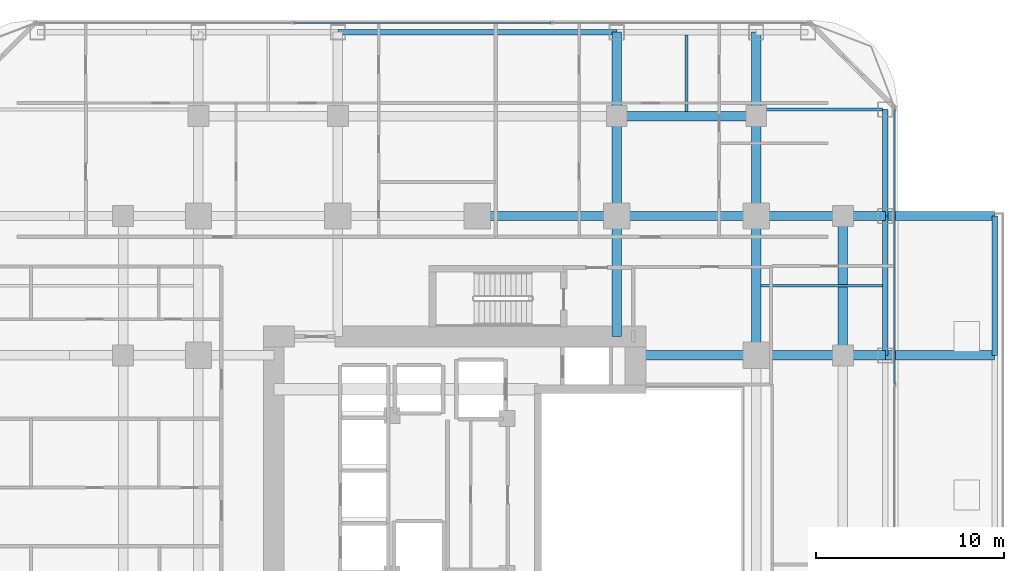
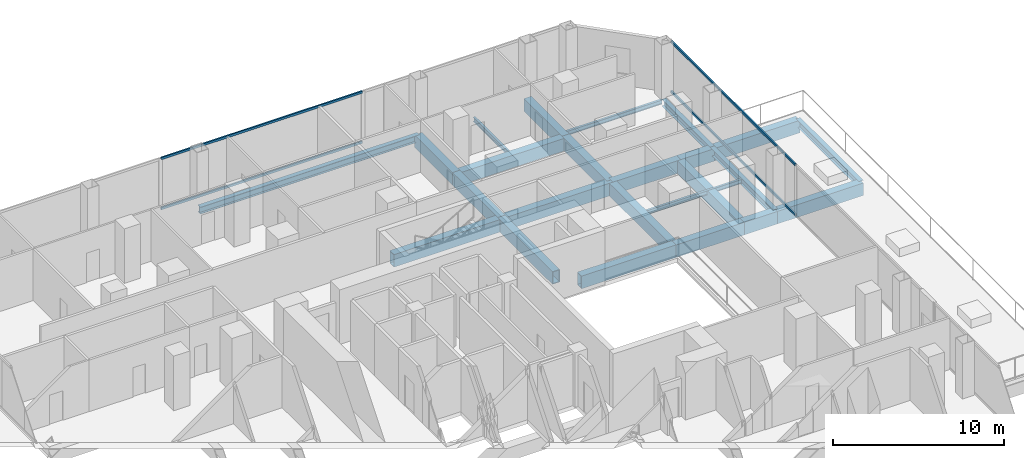
# One storey, part 16 of 29: 24 beams, 4 members, 2 elements without a shape of their own.
"""IFC4 building model written with IfcOpenShell, lengths in metres."""

from ifc_helpers import new_model, si_unit, direction, frame, origin, origin_2d, place, context, subcontext, project, spatial, hollow_rectangle, i_section, extrude, material, layer, layer_set, material_profile, profile_set, type_object, element, aggregate, save


model = new_model("IFC4")

# Units and contexts
model_context = context("Model", 3, precision=1e-05, world=origin(), true_north=direction((0.0, 1.0)))
body_context = subcontext(model_context, "Body", "Model", "MODEL_VIEW")
ifc_project = project(units=[si_unit("LENGTHUNIT", "METRE"), si_unit("AREAUNIT", "SQUARE_METRE"), si_unit("VOLUMEUNIT", "CUBIC_METRE"), si_unit("PLANEANGLEUNIT", "RADIAN"), si_unit("MASSUNIT", "GRAM", prefix="KILO")], contexts=[model_context])

# Site, building, storey
site_placement = place(None, origin())
site = spatial("IfcSite", under=ifc_project, at=site_placement, CompositionType="ELEMENT")
building_placement = place(site_placement, origin())
building = spatial("IfcBuilding", under=site, at=building_placement, Name="Khorvyn Point Tower", CompositionType="ELEMENT")
storey_placement = place(building_placement, frame((0.0, 0.0, 54.0)))
storey = spatial("IfcBuildingStorey", under=building, at=storey_placement, Name="L14", CompositionType="ELEMENT", Elevation=54.0)

# Curtain wall, members
ifc_material_1 = material(Name="Anodised aluminium 6063-T6 and laminated Low-E glass", Category="aluminium")
ifc_layer = layer(ifc_material_1, 0.18994140625)
ifc_layer_set = layer_set([ifc_layer], Name="Stick-Built Finned Residential Curtain Wall CW-SYS-02")
curtain_wall_type = type_object("IfcCurtainWallType", Name="Stick-Built Finned Residential Curtain Wall CW-SYS-02", PredefinedType="NOTDEFINED", material=ifc_layer_set)
curtain_wall_1_placement = place(storey_placement, origin())
curtain_wall_1 = element("IfcCurtainWall", 1, at=curtain_wall_1_placement, inside=storey, type_object=curtain_wall_type, Name="Curtain Wall", PredefinedType="NOTDEFINED")
ifc_material_2 = material(Name="Anodised aluminium 6063-T6", Category="aluminium")
ifc_material_profile_1 = material_profile(ifc_material_2, hollow_rectangle(XDim=0.10009765625, YDim=0.159912109375, WallThickness=0.00439453125, at=origin_2d()))
ifc_profile_set_1 = profile_set([ifc_material_profile_1], Name="Anodised aluminium 6063-T6 ALU-TRN-100x160")
member_type = type_object("IfcMemberType", Name="Anodised Aluminium 6063-T6 Transom ALU-TRN-100x160", PredefinedType="USERDEFINED", material=ifc_profile_set_1)
member_1_placement = place(storey_placement, frame((-9.699951171875, 25.050048828125, 0.050048828125), z_axis=(1.0, 0.0, 0.0), x_axis=(0.0, 1.0, 0.0)))
member_1 = element("IfcMember", 2, at=member_1_placement, type_object=member_type, Name="Transom", ObjectType="TRANSOM", PredefinedType="USERDEFINED", context=body_context, shape_type="SweptSolid", body=[
    extrude(hollow_rectangle(XDim=0.10009765625, YDim=0.159912109375, WallThickness=0.00439453125, at=origin_2d()), origin(), (0.0, 0.0, 1.0), 13.599853515625),
])
member_2_placement = place(storey_placement, frame((-9.699951171875, 25.050048828125, 3.6298828125), z_axis=(1.0, 0.0, 0.0), x_axis=(0.0, 1.0, 0.0)))
member_2 = element("IfcMember", 3, at=member_2_placement, type_object=member_type, Name="Transom", ObjectType="TRANSOM", PredefinedType="USERDEFINED", context=body_context, shape_type="SweptSolid", body=[
    extrude(hollow_rectangle(XDim=0.10009765625, YDim=0.159912109375, WallThickness=0.00439453125, at=origin_2d()), origin(), (0.0, 0.0, 1.0), 13.599853515625),
])
aggregate(curtain_wall_1, [member_1, member_2])

curtain_wall_2_placement = place(storey_placement, origin())
curtain_wall_2 = element("IfcCurtainWall", 4, at=curtain_wall_2_placement, inside=storey, type_object=curtain_wall_type, Name="Curtain Wall", PredefinedType="NOTDEFINED")
member_3_placement = place(storey_placement, frame((22.14990234375, 20.449951171875, 0.050048828125), z_axis=(0.0, -1.0, 0.0), x_axis=(1.0, 0.0, 0.0)))
member_3 = element("IfcMember", 5, at=member_3_placement, type_object=member_type, Name="Transom", ObjectType="TRANSOM", PredefinedType="USERDEFINED", context=body_context, shape_type="SweptSolid", body=[
    extrude(hollow_rectangle(XDim=0.10009765625, YDim=0.159912109375, WallThickness=0.00439453125, at=origin_2d()), origin(), (0.0, 0.0, 1.0), 14.5673828125),
])
member_4_placement = place(storey_placement, frame((22.14990234375, 20.449951171875, 3.6298828125), z_axis=(0.0, -1.0, 0.0), x_axis=(1.0, 0.0, 0.0)))
member_4 = element("IfcMember", 6, at=member_4_placement, type_object=member_type, Name="Transom", ObjectType="TRANSOM", PredefinedType="USERDEFINED", context=body_context, shape_type="SweptSolid", body=[
    extrude(hollow_rectangle(XDim=0.10009765625, YDim=0.159912109375, WallThickness=0.00439453125, at=origin_2d()), origin(), (0.0, 0.0, 1.0), 14.5673828125),
])
aggregate(curtain_wall_2, [member_3, member_4])

# Beams
ifc_material_3 = material(Name="Steel S355", Category="steel")
ifc_material_profile_2 = material_profile(ifc_material_3, i_section(OverallWidth=0.14990234375, OverallDepth=0.300048828125, WebThickness=0.006591796875, FlangeThickness=0.009033203125, at=origin_2d()))
ifc_profile_set_2 = profile_set([ifc_material_profile_2], Name="Steel S355 H300x150x6.5x9")
beam_type_1 = type_object("IfcBeamType", Name="Steel S355 Joist H300x150x6.5x9", PredefinedType="JOIST", material=ifc_profile_set_2)
beam_1_placement = place(storey_placement, frame((15.050048828125, 11.10009765625, -0.429931640625), z_axis=(1.0, 0.0, 0.0), x_axis=(0.0, 1.0, 0.0)))
element("IfcBeam", 7, at=beam_1_placement, inside=storey, type_object=beam_type_1, Name="Beam", PredefinedType="JOIST", context=body_context, shape_type="SweptSolid", body=[
    extrude(i_section(OverallWidth=0.14990234375, OverallDepth=0.300048828125, WebThickness=0.006591796875, FlangeThickness=0.009033203125, at=origin_2d()), origin(), (0.0, 0.0, 1.0), 6.449951171875),
])
beam_2_placement = place(storey_placement, frame((11.10009765625, 20.35009765625, -0.429931640625), z_axis=(0.0, 1.0, 0.0), x_axis=(-1.0, 0.0, 0.0)))
element("IfcBeam", 8, at=beam_2_placement, inside=storey, type_object=beam_type_1, Name="Beam", PredefinedType="JOIST", context=body_context, shape_type="SweptSolid", body=[
    extrude(i_section(OverallWidth=0.14990234375, OverallDepth=0.300048828125, WebThickness=0.006591796875, FlangeThickness=0.009033203125, at=origin_2d()), origin(), (0.0, 0.0, 1.0), 4.0498046875),
])
beam_3_placement = place(storey_placement, frame((15.050048828125, 20.449951171875, -0.429931640625), z_axis=(1.0, 0.0, 0.0), x_axis=(0.0, 1.0, 0.0)))
element("IfcBeam", 9, at=beam_3_placement, inside=storey, type_object=beam_type_1, Name="Beam", PredefinedType="JOIST", context=body_context, shape_type="SweptSolid", body=[
    extrude(i_section(OverallWidth=0.14990234375, OverallDepth=0.300048828125, WebThickness=0.006591796875, FlangeThickness=0.009033203125, at=origin_2d()), origin(), (0.0, 0.0, 1.0), 6.449951171875),
])
ifc_material_profile_3 = material_profile(ifc_material_3, i_section(OverallWidth=0.300048828125, OverallDepth=0.488037109375, WebThickness=0.010986328125, FlangeThickness=0.01806640625, at=origin_2d()))
ifc_profile_set_3 = profile_set([ifc_material_profile_3], Name="Steel S355 H488x300x11x18")
beam_type_2 = type_object("IfcBeamType", Name="Steel S355 Spandrel H488x300x11x18", PredefinedType="SPANDREL", material=ifc_profile_set_3)
beam_4_placement = place(storey_placement, frame((-7.39990234375, 24.550048828125, -0.52392578125), z_axis=(1.0, 0.0, 0.0), x_axis=(0.0, 1.0, 0.0)))
element("IfcBeam", 10, at=beam_4_placement, inside=storey, type_object=beam_type_2, Name="Beam", PredefinedType="SPANDREL", context=body_context, shape_type="SweptSolid", body=[
    extrude(i_section(OverallWidth=0.300048828125, OverallDepth=0.488037109375, WebThickness=0.010986328125, FlangeThickness=0.01806640625, at=origin_2d()), origin(), (0.0, 0.0, 1.0), 14.7998046875),
])
beam_5_placement = place(storey_placement, frame((21.64990234375, 7.39990234375, -0.52392578125), z_axis=(0.0, 1.0, 0.0), x_axis=(-1.0, 0.0, 0.0)))
element("IfcBeam", 11, at=beam_5_placement, inside=storey, type_object=beam_type_2, Name="Beam", PredefinedType="SPANDREL", context=body_context, shape_type="SweptSolid", body=[
    extrude(i_section(OverallWidth=0.300048828125, OverallDepth=0.488037109375, WebThickness=0.010986328125, FlangeThickness=0.01806640625, at=origin_2d()), origin(), (0.0, 0.0, 1.0), 7.400146484375),
])
beam_6_placement = place(storey_placement, frame((21.64990234375, 14.800048828125, -0.52392578125), z_axis=(0.0, 1.0, 0.0), x_axis=(-1.0, 0.0, 0.0)))
element("IfcBeam", 12, at=beam_6_placement, inside=storey, type_object=beam_type_2, Name="Beam", PredefinedType="SPANDREL", context=body_context, shape_type="SweptSolid", body=[
    extrude(i_section(OverallWidth=0.300048828125, OverallDepth=0.488037109375, WebThickness=0.010986328125, FlangeThickness=0.01806640625, at=origin_2d()), origin(), (0.0, 0.0, 1.0), 5.64990234375),
])
beam_7_placement = place(storey_placement, frame((27.449951171875, 7.39990234375, -0.52392578125), z_axis=(0.0, 1.0, 0.0), x_axis=(-1.0, 0.0, 0.0)))
element("IfcBeam", 13, at=beam_7_placement, inside=storey, type_object=beam_type_2, Name="Beam", PredefinedType="SPANDREL", context=body_context, shape_type="SweptSolid", body=[
    extrude(i_section(OverallWidth=0.300048828125, OverallDepth=0.488037109375, WebThickness=0.010986328125, FlangeThickness=0.01806640625, at=origin_2d()), origin(), (0.0, 0.0, 1.0), 7.400146484375),
])
ifc_material_4 = material(Name="Steel S450", Category="steel")
ifc_material_profile_4 = material_profile(ifc_material_4, hollow_rectangle(XDim=0.5, YDim=0.89990234375, WallThickness=0.0400390625, at=origin_2d()))
ifc_profile_set_4 = profile_set([ifc_material_profile_4], Name="Steel S450 BOX900x500x40")
beam_type_3 = type_object("IfcBeamType", Name="Steel S450 Beam BOX900x500x40", PredefinedType="BEAM", material=ifc_profile_set_4)
beam_8_placement = place(storey_placement, frame((0.0, 14.800048828125, -0.72998046875), z_axis=(1.0, 0.0, 0.0), x_axis=(0.0, 1.0, 0.0)))
element("IfcBeam", 14, at=beam_8_placement, inside=storey, type_object=beam_type_3, Name="L14 Radial Transfer Girder", PredefinedType="BEAM", context=body_context, shape_type="SweptSolid", body=[
    extrude(hollow_rectangle(XDim=0.5, YDim=0.89990234375, WallThickness=0.0400390625, at=origin_2d()), origin(), (0.0, 0.0, 1.0), 7.39990234375),
])
beam_9_placement = place(storey_placement, frame((7.39990234375, 14.800048828125, -0.72998046875), z_axis=(1.0, 0.0, 0.0), x_axis=(0.0, 1.0, 0.0)))
element("IfcBeam", 15, at=beam_9_placement, inside=storey, type_object=beam_type_3, Name="L14 Radial Transfer Girder", PredefinedType="BEAM", context=body_context, shape_type="SweptSolid", body=[
    extrude(hollow_rectangle(XDim=0.5, YDim=0.89990234375, WallThickness=0.0400390625, at=origin_2d()), origin(), (0.0, 0.0, 1.0), 7.400146484375),
])
beam_10_placement = place(storey_placement, frame((14.800048828125, 14.800048828125, -0.72998046875), z_axis=(1.0, 0.0, 0.0), x_axis=(0.0, 1.0, 0.0)))
element("IfcBeam", 16, at=beam_10_placement, inside=storey, type_object=beam_type_3, Name="L14 Radial Transfer Girder", PredefinedType="BEAM", context=body_context, shape_type="SweptSolid", body=[
    extrude(hollow_rectangle(XDim=0.5, YDim=0.89990234375, WallThickness=0.0400390625, at=origin_2d()), origin(), (0.0, 0.0, 1.0), 4.599853515625),
])
beam_11_placement = place(storey_placement, frame((19.39990234375, 14.800048828125, -0.72998046875), z_axis=(1.0, 0.0, 0.0), x_axis=(0.0, 1.0, 0.0)))
element("IfcBeam", 17, at=beam_11_placement, inside=storey, type_object=beam_type_3, Name="L14 Radial Transfer Girder", PredefinedType="BEAM", context=body_context, shape_type="SweptSolid", body=[
    extrude(hollow_rectangle(XDim=0.5, YDim=0.89990234375, WallThickness=0.0400390625, at=origin_2d()), origin(), (0.0, 0.0, 1.0), 2.25),
])
beam_12_placement = place(storey_placement, frame((21.64990234375, 14.800048828125, -0.72998046875), z_axis=(1.0, 0.0, 0.0), x_axis=(0.0, 1.0, 0.0)))
element("IfcBeam", 18, at=beam_12_placement, inside=storey, type_object=beam_type_3, Name="L14 Radial Transfer Girder", PredefinedType="BEAM", context=body_context, shape_type="SweptSolid", body=[
    extrude(hollow_rectangle(XDim=0.5, YDim=0.89990234375, WallThickness=0.0400390625, at=origin_2d()), origin(), (0.0, 0.0, 1.0), 5.800048828125),
])
beam_13_placement = place(storey_placement, frame((8.39990234375, 7.39990234375, -0.72998046875), z_axis=(1.0, 0.0, 0.0), x_axis=(0.0, 1.0, 0.0)))
element("IfcBeam", 19, at=beam_13_placement, inside=storey, type_object=beam_type_3, Name="Beam", PredefinedType="BEAM", context=body_context, shape_type="SweptSolid", body=[
    extrude(hollow_rectangle(XDim=0.5, YDim=0.89990234375, WallThickness=0.0400390625, at=origin_2d()), origin(), (0.0, 0.0, 1.0), 6.400146484375),
])
beam_14_placement = place(storey_placement, frame((14.800048828125, 7.39990234375, -0.72998046875), z_axis=(1.0, 0.0, 0.0), x_axis=(0.0, 1.0, 0.0)))
element("IfcBeam", 20, at=beam_14_placement, inside=storey, type_object=beam_type_3, Name="Beam", PredefinedType="BEAM", context=body_context, shape_type="SweptSolid", body=[
    extrude(hollow_rectangle(XDim=0.5, YDim=0.89990234375, WallThickness=0.0400390625, at=origin_2d()), origin(), (0.0, 0.0, 1.0), 4.599853515625),
])
beam_15_placement = place(storey_placement, frame((19.39990234375, 7.39990234375, -0.72998046875), z_axis=(1.0, 0.0, 0.0), x_axis=(0.0, 1.0, 0.0)))
element("IfcBeam", 21, at=beam_15_placement, inside=storey, type_object=beam_type_3, Name="Beam", PredefinedType="BEAM", context=body_context, shape_type="SweptSolid", body=[
    extrude(hollow_rectangle(XDim=0.5, YDim=0.89990234375, WallThickness=0.0400390625, at=origin_2d()), origin(), (0.0, 0.0, 1.0), 2.25),
])
beam_16_placement = place(storey_placement, frame((21.64990234375, 7.39990234375, -0.72998046875), z_axis=(1.0, 0.0, 0.0), x_axis=(0.0, 1.0, 0.0)))
element("IfcBeam", 22, at=beam_16_placement, inside=storey, type_object=beam_type_3, Name="Beam", PredefinedType="BEAM", context=body_context, shape_type="SweptSolid", body=[
    extrude(hollow_rectangle(XDim=0.5, YDim=0.89990234375, WallThickness=0.0400390625, at=origin_2d()), origin(), (0.0, 0.0, 1.0), 5.800048828125),
])
for number, where, z_axis, x_axis, name in (
    (23, (7.39990234375, 20.10009765625, -0.72998046875), (1.0, 0.0, 0.0), (0.0, 1.0, 0.0), "Beam"),
    (24, (14.800048828125, 7.39990234375, -0.72998046875), (0.0, 1.0, 0.0), (-1.0, 0.0, 0.0), "L14 Radial Transfer Girder"),
):
    element("IfcBeam", number, at=place(storey_placement, frame(where, z_axis=z_axis, x_axis=x_axis)), inside=storey, type_object=beam_type_3, Name=name, PredefinedType="BEAM", context=body_context, shape_type="SweptSolid", body=[
        extrude(hollow_rectangle(XDim=0.5, YDim=0.89990234375, WallThickness=0.0400390625, at=origin_2d()), origin(), (0.0, 0.0, 1.0), 7.400146484375),
    ])
beam_17_placement = place(storey_placement, frame((14.800048828125, 14.800048828125, -0.72998046875), z_axis=(0.0, 1.0, 0.0), x_axis=(-1.0, 0.0, 0.0)))
element("IfcBeam", 25, at=beam_17_placement, inside=storey, type_object=beam_type_3, Name="L14 Radial Transfer Girder", PredefinedType="BEAM", context=body_context, shape_type="SweptSolid", body=[
    extrude(hollow_rectangle(XDim=0.5, YDim=0.89990234375, WallThickness=0.0400390625, at=origin_2d()), origin(), (0.0, 0.0, 1.0), 5.300048828125),
])
beam_18_placement = place(storey_placement, frame((14.800048828125, 20.10009765625, -0.72998046875), z_axis=(0.0, 1.0, 0.0), x_axis=(-1.0, 0.0, 0.0)))
element("IfcBeam", 26, at=beam_18_placement, inside=storey, type_object=beam_type_3, Name="L14 Radial Transfer Girder", PredefinedType="BEAM", context=body_context, shape_type="SweptSolid", body=[
    extrude(hollow_rectangle(XDim=0.5, YDim=0.89990234375, WallThickness=0.0400390625, at=origin_2d()), origin(), (0.0, 0.0, 1.0), 4.449951171875),
])
beam_19_placement = place(storey_placement, frame((7.39990234375, 8.39990234375, -0.72998046875), z_axis=(0.0, 1.0, 0.0), x_axis=(-1.0, 0.0, 0.0)))
element("IfcBeam", 27, at=beam_19_placement, inside=storey, type_object=beam_type_3, Name="Beam", PredefinedType="BEAM", context=body_context, shape_type="SweptSolid", body=[
    extrude(hollow_rectangle(XDim=0.5, YDim=0.89990234375, WallThickness=0.0400390625, at=origin_2d()), origin(), (0.0, 0.0, 1.0), 6.400146484375),
])
beam_20_placement = place(storey_placement, frame((7.39990234375, 14.800048828125, -0.72998046875), z_axis=(0.0, 1.0, 0.0), x_axis=(-1.0, 0.0, 0.0)))
element("IfcBeam", 28, at=beam_20_placement, inside=storey, type_object=beam_type_3, Name="Beam", PredefinedType="BEAM", context=body_context, shape_type="SweptSolid", body=[
    extrude(hollow_rectangle(XDim=0.5, YDim=0.89990234375, WallThickness=0.0400390625, at=origin_2d()), origin(), (0.0, 0.0, 1.0), 5.300048828125),
])
beam_21_placement = place(storey_placement, frame((7.39990234375, 20.10009765625, -0.72998046875), z_axis=(0.0, 1.0, 0.0), x_axis=(-1.0, 0.0, 0.0)))
element("IfcBeam", 29, at=beam_21_placement, inside=storey, type_object=beam_type_3, Name="Beam", PredefinedType="BEAM", context=body_context, shape_type="SweptSolid", body=[
    extrude(hollow_rectangle(XDim=0.5, YDim=0.89990234375, WallThickness=0.0400390625, at=origin_2d()), origin(), (0.0, 0.0, 1.0), 4.449951171875),
])
beam_22_placement = place(storey_placement, frame((19.39990234375, 7.39990234375, -0.72998046875), z_axis=(0.0, 1.0, 0.0), x_axis=(-1.0, 0.0, 0.0)))
element("IfcBeam", 30, at=beam_22_placement, inside=storey, type_object=beam_type_3, Name="Beam", PredefinedType="BEAM", context=body_context, shape_type="SweptSolid", body=[
    extrude(hollow_rectangle(XDim=0.5, YDim=0.89990234375, WallThickness=0.0400390625, at=origin_2d()), origin(), (0.0, 0.0, 1.0), 7.400146484375),
])

save(model, "model.ifc")
